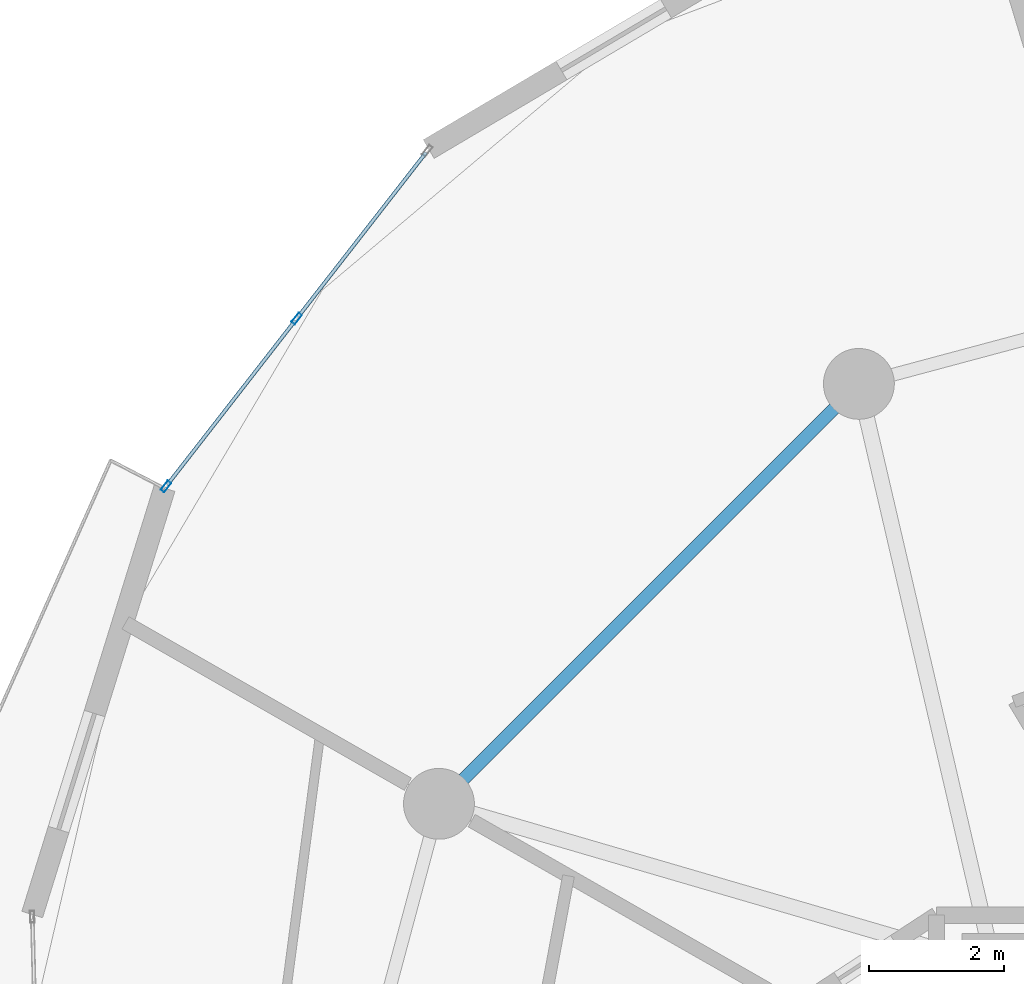
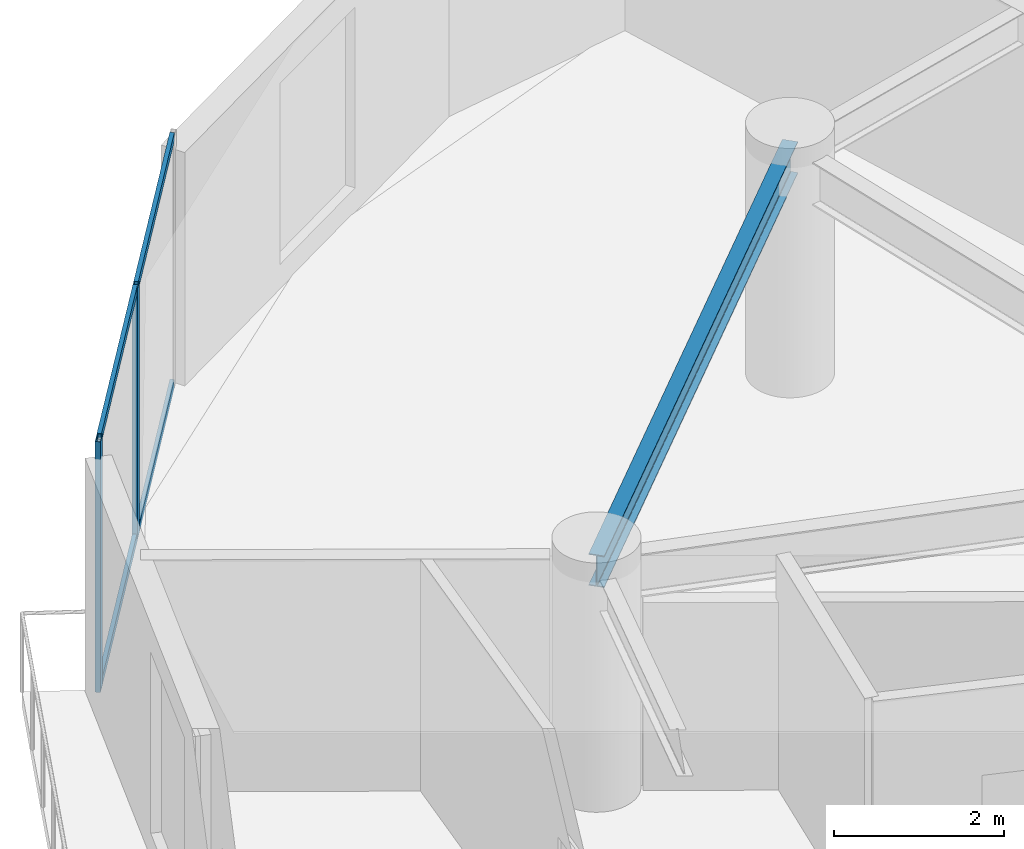
# One storey, part 10 of 20: 6 members, 1 beam, 1 element without a shape of its own.
"""IFC4 building model written with IfcOpenShell, lengths in metres."""

from ifc_helpers import new_model, si_unit, direction, frame, origin, origin_2d, place, context, subcontext, project, spatial, hollow_rectangle, i_section, extrude, source, transform, mapped, material, layer, layer_set, material_profile, profile_set, type_object, element, aggregate, save


model = new_model("IFC4")

# Units and contexts
model_context = context("Model", 3, precision=1e-05, world=origin(), true_north=direction((0.0, 1.0)))
body_context = subcontext(model_context, "Body", "Model", "MODEL_VIEW")
ifc_project = project(units=[si_unit("LENGTHUNIT", "METRE"), si_unit("AREAUNIT", "SQUARE_METRE"), si_unit("VOLUMEUNIT", "CUBIC_METRE"), si_unit("PLANEANGLEUNIT", "RADIAN"), si_unit("MASSUNIT", "GRAM", prefix="KILO")], contexts=[model_context])

# Site, building, storey
site_placement = place(None, origin())
site = spatial("IfcSite", under=ifc_project, at=site_placement, CompositionType="ELEMENT")
building_placement = place(site_placement, origin())
building = spatial("IfcBuilding", under=site, at=building_placement, Name="Solvirekh Grand Hotel", CompositionType="ELEMENT")
storey_placement = place(building_placement, frame((0.0, 0.0, 156.60009765625)))
storey = spatial("IfcBuildingStorey", under=building, at=storey_placement, Name="L40", CompositionType="ELEMENT", Elevation=156.60009765625)

# Beam
ifc_material_1 = material(Name="Steel S355", Category="steel")
ifc_material_profile_1 = material_profile(ifc_material_1, i_section(OverallWidth=0.18994140625, OverallDepth=0.45703125, WebThickness=0.009033203125, FlangeThickness=0.013916015625, FilletRadius=0.012939453125, at=origin_2d()), Name="W460X74")
ifc_profile_set_1 = profile_set([ifc_material_profile_1], Name="Steel S355")
beam_type = type_object("IfcBeamType", Name="Spandrel_Ring_W460", PredefinedType="SPANDREL", material=ifc_profile_set_1)
beam_placement = place(storey_placement, frame((-8.5, 14.721923828125, 3.120849609375), z_axis=(-0.707106781187, -0.707106781187, 0.0), x_axis=(0.707106781187, -0.707106781187, 0.0)))
element("IfcBeam", 1, at=beam_placement, inside=storey, type_object=beam_type, Name="L40 perimeter spandrel beam 5", PredefinedType="SPANDREL", context=body_context, shape_type="SweptSolid", body=[
    extrude(i_section(OverallWidth=0.18994140625, OverallDepth=0.45703125, WebThickness=0.009033203125, FlangeThickness=0.013916015625, FilletRadius=0.012939453125, at=origin_2d()), origin(), (0.0, 0.0, 1.0), 8.799072265625),
])

# Curtain wall, members
ifc_material_2 = material(Name="Anodized Bronze Aluminium 6063-T6", Category="aluminium")
ifc_layer = layer(ifc_material_2, 0.175048828125)
ifc_layer_set = layer_set([ifc_layer], Name="Anodized Bronze Aluminium 6063-T6")
curtain_wall_type = type_object("IfcCurtainWallType", Name="CW_Sys3_MidZoneFlushBronzeCW", PredefinedType="NOTDEFINED", material=ifc_layer_set)
curtain_wall_placement = place(storey_placement, origin())
curtain_wall = element("IfcCurtainWall", 2, at=curtain_wall_placement, inside=storey, type_object=curtain_wall_type, Name="L40 unitised bronze-glass curtain wall CW-L40-C11", PredefinedType="NOTDEFINED")
ifc_material_profile_2 = material_profile(ifc_material_2, hollow_rectangle(XDim=0.06494140625, YDim=0.175048828125, WallThickness=0.0048828125, at=origin_2d()), Name="ALU RHS 175X65X5")
ifc_profile_set_2 = profile_set([ifc_material_profile_2], Name="Anodized Bronze Aluminium 6063-T6")
member_type_1 = type_object("IfcMemberType", Name="CWMullion_Sys3", PredefinedType="MULLION", material=ifc_profile_set_2)
shared_shape_1 = source(origin(), body_context, "Body", "SweptSolid", [
    extrude(hollow_rectangle(XDim=0.06494140625, YDim=0.175048828125, WallThickness=0.0048828125, at=origin_2d()), origin(), (0.0, 0.0, 1.0), 3.599853515625),
])
member_1_placement = place(storey_placement, frame((-16.83056640625, 15.6884765625, 0.0), z_axis=(0.0, 0.0, 1.0), x_axis=(0.788996991404, -0.614397060177, 0.0)))
member_1 = element("IfcMember", 3, at=member_1_placement, type_object=member_type_1, Name="U03 mullion 2", PredefinedType="MULLION", context=body_context, shape_type="MappedRepresentation", body=[
    mapped(shared_shape_1, transform((0.0, 0.0, 0.0), x_axis=(1.0, 0.0, 0.0), y_axis=(0.0, 1.0, 0.0), z_axis=(0.0, 0.0, 1.0), scale=1.0)),
])
member_2_placement = place(storey_placement, frame((-18.76708984375, 13.20166015625, 0.0), z_axis=(0.0, 0.0, 1.0), x_axis=(0.788996991404, -0.614397060177, 0.0)))
member_2 = element("IfcMember", 4, at=member_2_placement, type_object=member_type_1, Name="U03 mullion 3", PredefinedType="MULLION", context=body_context, shape_type="MappedRepresentation", body=[
    mapped(shared_shape_1, transform((0.0, 0.0, 0.0), x_axis=(1.0, 0.0, 0.0), y_axis=(0.0, 1.0, 0.0), z_axis=(0.0, 0.0, 1.0), scale=1.0)),
])
ifc_material_profile_3 = material_profile(ifc_material_2, hollow_rectangle(XDim=0.054931640625, YDim=0.1201171875, WallThickness=0.00390625, at=origin_2d()), Name="ALU RHS 120X55X4")
ifc_profile_set_3 = profile_set([ifc_material_profile_3], Name="Anodized Bronze Aluminium 6063-T6")
member_type_2 = type_object("IfcMemberType", Name="CWTransom_Sys3", PredefinedType="USERDEFINED", material=ifc_profile_set_3)
shared_shape_2 = source(origin(), body_context, "Body", "SweptSolid", [
    extrude(hollow_rectangle(XDim=0.054931640625, YDim=0.1201171875, WallThickness=0.00390625, at=origin_2d()), origin(), (0.0, 0.0, 1.0), 3.0869140625),
])
member_3_placement = place(storey_placement, frame((-14.913818359375, 18.149658203125, 0.02734375), z_axis=(-0.614427794826, -0.788973057173, 0.0), x_axis=(0.788973057173, -0.614427794826, 0.0)))
member_3 = element("IfcMember", 5, at=member_3_placement, type_object=member_type_2, Name="U03 transom 1.1", ObjectType="TRANSOM", PredefinedType="USERDEFINED", context=body_context, shape_type="MappedRepresentation", body=[
    mapped(shared_shape_2, transform((0.0, 0.0, 0.0), x_axis=(1.0, 0.0, 0.0), y_axis=(0.0, 1.0, 0.0), z_axis=(0.0, 0.0, 1.0), scale=1.0)),
])
member_4_placement = place(storey_placement, frame((-14.913818359375, 18.149658203125, 3.572509765625), z_axis=(-0.614427794826, -0.788973057173, 0.0), x_axis=(0.788973057173, -0.614427794826, 0.0)))
member_4 = element("IfcMember", 6, at=member_4_placement, type_object=member_type_2, Name="U03 transom 1.2", ObjectType="TRANSOM", PredefinedType="USERDEFINED", context=body_context, shape_type="MappedRepresentation", body=[
    mapped(shared_shape_2, transform((0.0, 0.0, 0.0), x_axis=(1.0, 0.0, 0.0), y_axis=(0.0, 1.0, 0.0), z_axis=(0.0, 0.0, 1.0), scale=1.0)),
])
member_5_placement = place(storey_placement, frame((-16.8505859375, 15.662841796875, 0.02734375), z_axis=(-0.61437856121, -0.789011396322, 0.0), x_axis=(0.789011396322, -0.61437856121, 0.0)))
member_5 = element("IfcMember", 7, at=member_5_placement, type_object=member_type_2, Name="U03 transom 2.1", ObjectType="TRANSOM", PredefinedType="USERDEFINED", context=body_context, shape_type="MappedRepresentation", body=[
    mapped(shared_shape_2, transform((0.0, 0.0, 0.0), x_axis=(1.0, 0.0, 0.0), y_axis=(0.0, 1.0, 0.0), z_axis=(0.0, 0.0, 1.0), scale=1.0)),
])
member_6_placement = place(storey_placement, frame((-16.8505859375, 15.662841796875, 3.572509765625), z_axis=(-0.61437856121, -0.789011396322, 0.0), x_axis=(0.789011396322, -0.61437856121, 0.0)))
member_6 = element("IfcMember", 8, at=member_6_placement, type_object=member_type_2, Name="U03 transom 2.2", ObjectType="TRANSOM", PredefinedType="USERDEFINED", context=body_context, shape_type="MappedRepresentation", body=[
    mapped(shared_shape_2, transform((0.0, 0.0, 0.0), x_axis=(1.0, 0.0, 0.0), y_axis=(0.0, 1.0, 0.0), z_axis=(0.0, 0.0, 1.0), scale=1.0)),
])
aggregate(curtain_wall, [member_1, member_2, member_3, member_4, member_5, member_6])

save(model, "model.ifc")
